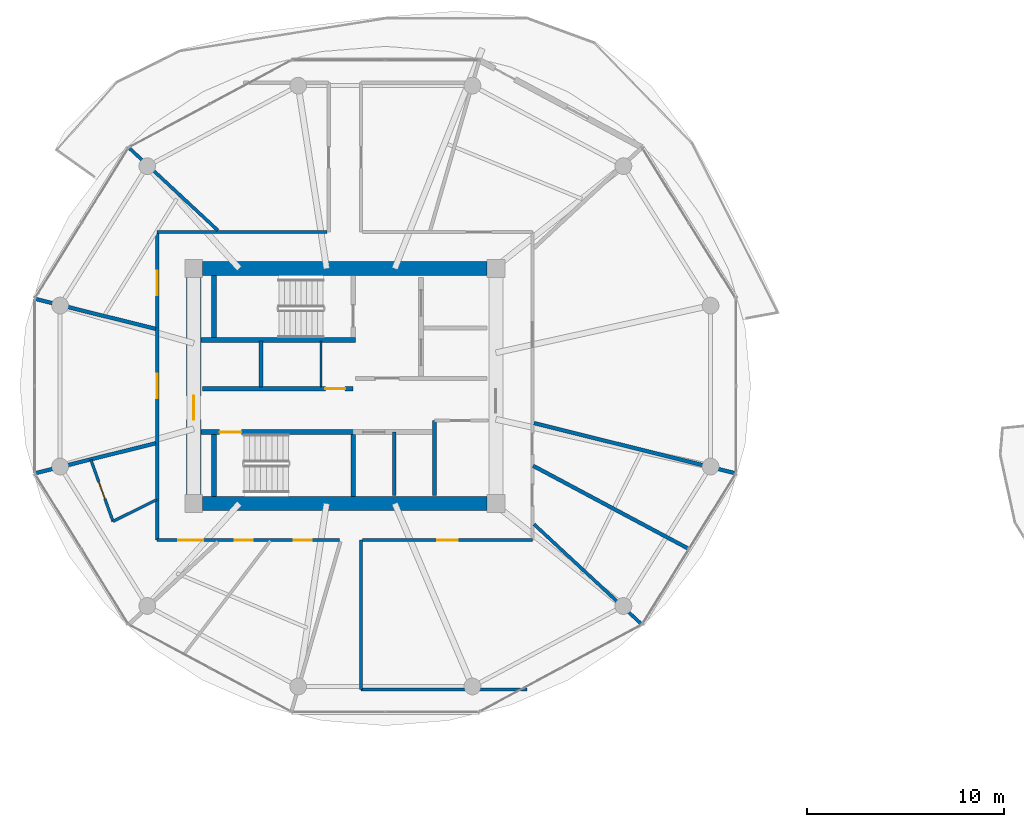
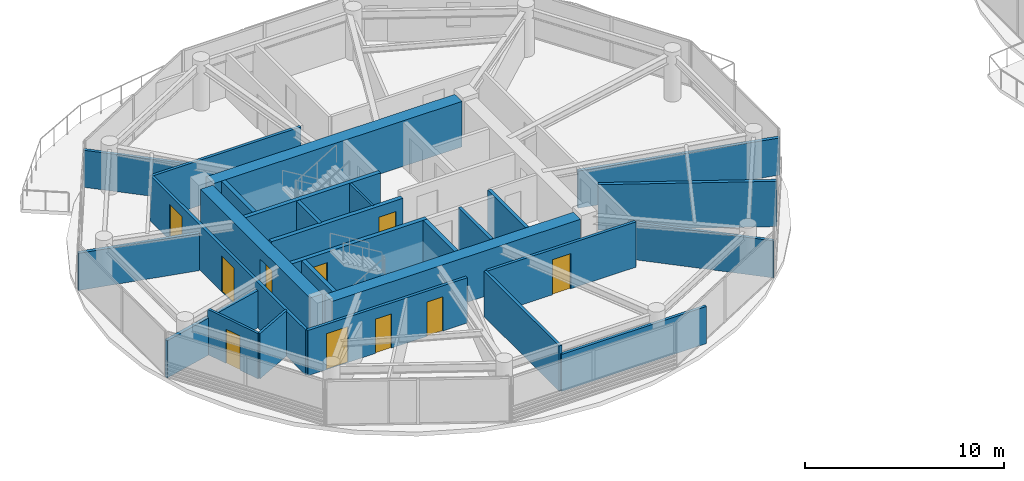
# One storey, part 15 of 23: 27 walls, 10 doors, 10 openings.
"""IFC4 building model written with IfcOpenShell, lengths in metres."""

from ifc_helpers import new_model, si_unit, direction, frame, frame_2d, origin, place, context, subcontext, project, spatial, rectangle, extrude, source, transform, mapped, material, layer, layer_set, type_object, type_shapes, element, fill, save


model = new_model("IFC4")

# Units and contexts
model_context = context("Model", 3, precision=1e-05, world=origin(), true_north=direction((0.0, 1.0)))
body_context = subcontext(model_context, "Body", "Model", "MODEL_VIEW")
ifc_project = project(units=[si_unit("LENGTHUNIT", "METRE"), si_unit("AREAUNIT", "SQUARE_METRE"), si_unit("VOLUMEUNIT", "CUBIC_METRE"), si_unit("PLANEANGLEUNIT", "RADIAN"), si_unit("MASSUNIT", "GRAM", prefix="KILO")], contexts=[model_context])

# Site, building, storey
site_placement = place(None, origin())
site = spatial("IfcSite", under=ifc_project, at=site_placement, CompositionType="ELEMENT")
building_placement = place(site_placement, origin())
building = spatial("IfcBuilding", under=site, at=building_placement, Name="Norrkilde Senior Care Towers", CompositionType="ELEMENT")
storey_placement = place(building_placement, frame((0.0, 0.0, 81.0)))
storey = spatial("IfcBuildingStorey", under=building, at=storey_placement, Name="L24", CompositionType="ELEMENT", Elevation=81.0)

# Walls
ifc_material_1 = material(Name="Concrete C60/75", Category="concrete")
ifc_layer_1 = layer(ifc_material_1, 0.719970703125)
ifc_layer_set_1 = layer_set([ifc_layer_1], Name="Concrete C60/75")
wall_type_1 = type_object("IfcWallType", Name="Core Shear Wall Z2 720", PredefinedType="SHEAR", material=ifc_layer_set_1)
shared_shape_1 = source(origin(), body_context, "Body", "SweptSolid", [
    extrude(rectangle(XDim=14.39990234375, YDim=0.719970703125, at=frame_2d((7.199951171875, 0.0))), origin(), (0.0, 0.0, 1.0), 2.7900390625),
])
for number, where, z_axis, x_axis, name in (
    (1, (-35.199951171875, 5.949951171875, 0.0), (0.0, 0.0, 1.0), (1.0, 0.0, 0.0), "L24 Core W North Shear Wall"),
    (2, (-20.800048828125, -5.949951171875, 0.0), (0.0, 0.0, 1.0), (-1.0, 0.0, 0.0), "L24 Core W South Shear Wall"),
):
    element("IfcWall", number, at=place(storey_placement, frame(where, z_axis=z_axis, x_axis=x_axis)), inside=storey, type_object=wall_type_1, Name=name, PredefinedType="SHEAR", context=body_context, shape_type="MappedRepresentation", body=[
        mapped(shared_shape_1, transform((0.0, 0.0, 0.0), x_axis=(1.0, 0.0, 0.0), y_axis=(0.0, 1.0, 0.0), z_axis=(0.0, 0.0, 1.0), scale=1.0)),
    ])

# Wall, opening, door
shared_shape_2 = source(origin(), body_context, "Body", "SweptSolid", [
    extrude(rectangle(XDim=11.0, YDim=0.719970703125, at=frame_2d((5.5, 0.0))), origin(), (0.0, 0.0, 1.0), 2.7900390625),
])
type_shapes(wall_type_1, [shared_shape_1, shared_shape_2])
wall_1_placement = place(storey_placement, frame((-35.64990234375, -5.5, 0.0), z_axis=(0.0, 0.0, 1.0), x_axis=(0.0, 1.0, 0.0)))
wall_1 = element("IfcWall", 3, at=wall_1_placement, inside=storey, type_object=wall_type_1, Name="L24 Core W West Shear Wall", PredefinedType="SHEAR", context=body_context, shape_type="MappedRepresentation", body=[
    mapped(shared_shape_2, transform((0.0, 0.0, 0.0), x_axis=(1.0, 0.0, 0.0), y_axis=(0.0, 1.0, 0.0), z_axis=(0.0, 0.0, 1.0), scale=1.0)),
])
opening_1_placement = place(wall_1_placement, frame((3.800048828125, 0.0, 0.0)))
opening_1 = element("IfcOpeningElement", 4, at=opening_1_placement, cuts=wall_1, Name="Opening D-04", PredefinedType="OPENING", context=body_context, shape_type="SweptSolid", body=[
    extrude(rectangle(XDim=1.199951171875, YDim=2.14990234375, at=frame_2d((0.60009765625, 1.074951171875))), frame((0.0, 0.369873046875, 0.0), z_axis=(0.0, -1.0, 0.0), x_axis=(1.0, 0.0, 0.0)), (0.0, 0.0, 1.0), 0.739990234375),
])
ifc_material_2 = material(Name="Galvanised Painted Steel", Category="steel")
door_type_1 = type_object("IfcDoorType", Name="Firefighting Lobby Fire Door 1200x2150", OperationType="NOTDEFINED", PredefinedType="DOOR", material=ifc_material_2)
shared_shape_3 = source(origin(), body_context, "Body", "SweptSolid", [
    extrude(rectangle(XDim=1.199951171875, YDim=2.14990234375, at=frame_2d((0.60009765625, 1.074951171875))), frame((0.0, 0.02490234375, 0.0), z_axis=(0.0, -1.0, 0.0), x_axis=(1.0, 0.0, 0.0)), (0.0, 0.0, 1.0), 0.050048828125),
])
type_shapes(door_type_1, [shared_shape_3])
door_1_placement = place(opening_1_placement, frame((1.199951171875, 0.0, 0.0), z_axis=(0.0, 0.0, 1.0), x_axis=(-1.0, 0.0, 0.0)))
door_1 = element("IfcDoor", 5, at=door_1_placement, inside=storey, type_object=door_type_1, Name="L24 Core W West Portal Door", OperationType="SINGLE_SWING_LEFT", OverallHeight=2.14990234375, OverallWidth=1.199951171875, PredefinedType="DOOR", context=body_context, shape_type="MappedRepresentation", body=[
    mapped(shared_shape_3, transform((0.0, 0.0, 0.0), x_axis=(1.0, 0.0, 0.0), y_axis=(0.0, 1.0, 0.0), z_axis=(0.0, 0.0, 1.0), scale=1.0)),
])
fill(opening_1, door_1)

ifc_material_3 = material(Name="Concrete C45/55", Category="concrete")
ifc_layer_2 = layer(ifc_material_3, 0.239990234375)
ifc_layer_set_2 = layer_set([ifc_layer_2], Name="Concrete C45/55")
wall_type_2 = type_object("IfcWallType", Name="Lift and Plant Rated Enclosure Partition 240", PredefinedType="PARTITIONING", material=ifc_layer_set_2)
shared_shape_4 = source(origin(), body_context, "Body", "SweptSolid", [
    extrude(rectangle(XDim=7.619873046875, YDim=0.239990234375, at=frame_2d((3.81005859375, 0.0))), origin(), (0.0, 0.0, 1.0), 2.77490234375),
])
type_shapes(wall_type_2, [shared_shape_4])
wall_2_placement = place(storey_placement, frame((-35.199951171875, -0.1298828125, 0.0), z_axis=(0.0, 0.0, 1.0), x_axis=(1.0, 0.0, 0.0)))
wall_2 = element("IfcWall", 6, at=wall_2_placement, inside=storey, type_object=wall_type_2, Name="WL-INT-L24-W-PKAS", PredefinedType="PARTITIONING", context=body_context, shape_type="MappedRepresentation", body=[
    mapped(shared_shape_4, transform((0.0, 0.0, 0.0), x_axis=(1.0, 0.0, 0.0), y_axis=(0.0, 1.0, 0.0), z_axis=(0.0, 0.0, 1.0), scale=1.0)),
])
opening_2_placement = place(wall_2_placement, frame((6.219970703125, 0.0, 0.0)))
opening_2 = element("IfcOpeningElement", 7, at=opening_2_placement, cuts=wall_2, Name="Opening D-10", PredefinedType="OPENING", context=body_context, shape_type="SweptSolid", body=[
    extrude(rectangle(XDim=1.0, YDim=2.10009765625, at=frame_2d((0.5, 1.050048828125))), frame((0.0, 0.1298828125, 0.0), z_axis=(0.0, -1.0, 0.0), x_axis=(1.0, 0.0, 0.0)), (0.0, 0.0, 1.0), 0.260009765625),
])
door_type_2 = type_object("IfcDoorType", Name="Plant and Riser Rated Door 1000x2100", OperationType="NOTDEFINED", PredefinedType="DOOR", material=ifc_material_2)
shared_shape_5 = source(origin(), body_context, "Body", "SweptSolid", [
    extrude(rectangle(XDim=1.0, YDim=2.10009765625, at=frame_2d((0.5, 1.050048828125))), frame((0.0, 0.02490234375, 0.0), z_axis=(0.0, -1.0, 0.0), x_axis=(1.0, 0.0, 0.0)), (0.0, 0.0, 1.0), 0.050048828125),
])
type_shapes(door_type_2, [shared_shape_5])
door_2_placement = place(opening_2_placement, frame((1.0, 0.0, 0.0), z_axis=(0.0, 0.0, 1.0), x_axis=(-1.0, 0.0, 0.0)))
door_2 = element("IfcDoor", 8, at=door_2_placement, inside=storey, type_object=door_type_2, Name="L24 Electrical Riser W Door", OperationType="SINGLE_SWING_LEFT", OverallHeight=2.10009765625, OverallWidth=1.0, PredefinedType="DOOR", context=body_context, shape_type="MappedRepresentation", body=[
    mapped(shared_shape_5, transform((0.0, 0.0, 0.0), x_axis=(1.0, 0.0, 0.0), y_axis=(0.0, 1.0, 0.0), z_axis=(0.0, 0.0, 1.0), scale=1.0)),
])
fill(opening_2, door_2)

# Walls
ifc_material_4 = material(Name="Gypsum Acoustic Board")
ifc_layer_3 = layer(ifc_material_4, 0.114990234375)
ifc_layer_set_3 = layer_set([ifc_layer_3], Name="Gypsum Acoustic Board")
wall_type_3 = type_object("IfcWallType", Name="Internal Room Partition 115", PredefinedType="PARTITIONING", material=ifc_layer_set_3)
shared_shape_6 = source(origin(), body_context, "Body", "SweptSolid", [
    extrude(rectangle(XDim=2.330078125, YDim=0.114990234375, at=frame_2d((1.1650390625, 0.0))), origin(), (0.0, 0.0, 1.0), 2.77490234375),
])
type_shapes(wall_type_3, [shared_shape_6])
wall_3_placement = place(storey_placement, frame((-29.2099609375, -0.050048828125, 0.0), z_axis=(0.0, 0.0, 1.0), x_axis=(0.0, 1.0, 0.0)))
element("IfcWall", 9, at=wall_3_placement, inside=storey, type_object=wall_type_3, Name="WL-INT-L24-W-RISW", PredefinedType="PARTITIONING", context=body_context, shape_type="MappedRepresentation", body=[
    mapped(shared_shape_6, transform((0.0, 0.0, 0.0), x_axis=(1.0, 0.0, 0.0), y_axis=(0.0, 1.0, 0.0), z_axis=(0.0, 0.0, 1.0), scale=1.0)),
])
ifc_layer_4 = layer(ifc_material_3, 0.199951171875)
ifc_layer_set_4 = layer_set([ifc_layer_4], Name="Concrete C45/55")
wall_type_4 = type_object("IfcWallType", Name="Shaft Division and Plant Partition 200", PredefinedType="PARTITIONING", material=ifc_layer_set_4)
shared_shape_7 = source(origin(), body_context, "Body", "SweptSolid", [
    extrude(rectangle(XDim=2.330078125, YDim=0.199951171875, at=frame_2d((1.1650390625, 0.0))), origin(), (0.0, 0.0, 1.0), 2.77490234375),
])
wall_4_placement = place(storey_placement, frame((-32.25, -0.050048828125, 0.0), z_axis=(0.0, 0.0, 1.0), x_axis=(0.0, 1.0, 0.0)))
element("IfcWall", 10, at=wall_4_placement, inside=storey, type_object=wall_type_4, Name="WL-INT-L24-W-PL12", PredefinedType="PARTITIONING", context=body_context, shape_type="MappedRepresentation", body=[
    mapped(shared_shape_7, transform((0.0, 0.0, 0.0), x_axis=(1.0, 0.0, 0.0), y_axis=(0.0, 1.0, 0.0), z_axis=(0.0, 0.0, 1.0), scale=1.0)),
])
shared_shape_8 = source(origin(), body_context, "Body", "SweptSolid", [
    extrude(rectangle(XDim=3.800048828125, YDim=0.199951171875, at=frame_2d((1.89990234375, 0.0))), origin(), (0.0, 0.0, 1.0), 2.77490234375),
])
type_shapes(wall_type_4, [shared_shape_7, shared_shape_8])
wall_5_placement = place(storey_placement, frame((-23.449951171875, -5.550048828125, 0.0), z_axis=(0.0, 0.0, 1.0), x_axis=(0.0, 1.0, 0.0)))
element("IfcWall", 11, at=wall_5_placement, inside=storey, type_object=wall_type_4, Name="WL-INT-L24-W-PKBE", PredefinedType="PARTITIONING", context=body_context, shape_type="MappedRepresentation", body=[
    mapped(shared_shape_8, transform((0.0, 0.0, 0.0), x_axis=(1.0, 0.0, 0.0), y_axis=(0.0, 1.0, 0.0), z_axis=(0.0, 0.0, 1.0), scale=1.0)),
])
ifc_layer_5 = layer(ifc_material_3, 0.179931640625)
ifc_layer_set_5 = layer_set([ifc_layer_5], Name="Concrete C45/55")
wall_type_5 = type_object("IfcWallType", Name="Hoistway Division Rated Partition 180", PredefinedType="PARTITIONING", material=ifc_layer_set_5)
shared_shape_9 = source(origin(), body_context, "Body", "SweptSolid", [
    extrude(rectangle(XDim=3.219970703125, YDim=0.179931640625, at=frame_2d((1.60986328125, 0.0))), origin(), (0.0, 0.0, 1.0), 2.77490234375),
])
type_shapes(wall_type_5, [shared_shape_9])
wall_6_placement = place(storey_placement, frame((-25.5, -5.550048828125, 0.0), z_axis=(0.0, 0.0, 1.0), x_axis=(0.0, 1.0, 0.0)))
element("IfcWall", 12, at=wall_6_placement, inside=storey, type_object=wall_type_5, Name="WL-INT-L24-W-PL34", PredefinedType="PARTITIONING", context=body_context, shape_type="MappedRepresentation", body=[
    mapped(shared_shape_9, transform((0.0, 0.0, 0.0), x_axis=(1.0, 0.0, 0.0), y_axis=(0.0, 1.0, 0.0), z_axis=(0.0, 0.0, 1.0), scale=1.0)),
])

# Wall, openings, doors
ifc_layer_6 = layer(ifc_material_4, 0.1650390625)
ifc_layer_set_6 = layer_set([ifc_layer_6], Name="Gypsum Acoustic Board")
wall_type_6 = type_object("IfcWallType", Name="Corridor Rated Partition 165", PredefinedType="PARTITIONING", material=ifc_layer_set_6)
shared_shape_10 = source(origin(), body_context, "Body", "SweptSolid", [
    extrude(rectangle(XDim=15.60009765625, YDim=0.1650390625, at=frame_2d((7.800048828125, 0.0))), origin(), (0.0, 0.0, 1.0), 2.77490234375),
])
wall_7_placement = place(storey_placement, frame((-37.5, -7.800048828125, 0.0), z_axis=(0.0, 0.0, 1.0), x_axis=(0.0, 1.0, 0.0)))
wall_7 = element("IfcWall", 13, at=wall_7_placement, inside=storey, type_object=wall_type_6, Name="WL-INT-L24-W-CRW-W-0", PredefinedType="PARTITIONING", context=body_context, shape_type="MappedRepresentation", body=[
    mapped(shared_shape_10, transform((0.0, 0.0, 0.0), x_axis=(1.0, 0.0, 0.0), y_axis=(0.0, 1.0, 0.0), z_axis=(0.0, 0.0, 1.0), scale=1.0)),
])
opening_3_placement = place(wall_7_placement, frame((12.3994140625, 0.0, 0.0)))
opening_3 = element("IfcOpeningElement", 14, at=opening_3_placement, cuts=wall_7, Name="Opening D-05", PredefinedType="OPENING", context=body_context, shape_type="SweptSolid", body=[
    extrude(rectangle(XDim=1.25, YDim=2.199951171875, at=frame_2d((0.625, 1.10009765625))), frame((0.0, 0.092529296875, 0.0), z_axis=(0.0, -1.0, 0.0), x_axis=(1.0, 0.0, 0.0)), (0.0, 0.0, 1.0), 0.18505859375),
])
opening_4_placement = place(wall_7_placement, frame((7.175048828125, 0.0, 0.0)))
opening_4 = element("IfcOpeningElement", 15, at=opening_4_placement, cuts=wall_7, Name="Opening D-05", PredefinedType="OPENING", context=body_context, shape_type="SweptSolid", body=[
    extrude(rectangle(XDim=1.25, YDim=2.199951171875, at=frame_2d((0.625, 1.10009765625))), frame((0.0, 0.092529296875, 0.0), z_axis=(0.0, -1.0, 0.0), x_axis=(1.0, 0.0, 0.0)), (0.0, 0.0, 1.0), 0.18505859375),
])
ifc_material_5 = material(Name="Nordic Ash Timber", Category="wood")
door_type_3 = type_object("IfcDoorType", Name="Care Bedroom Bariatric Door 1250x2200", OperationType="NOTDEFINED", PredefinedType="DOOR", material=ifc_material_5)
shared_shape_11 = source(origin(), body_context, "Body", "SweptSolid", [
    extrude(rectangle(XDim=1.25, YDim=2.199951171875, at=frame_2d((0.625, 1.10009765625))), frame((0.0, 0.02490234375, 0.0), z_axis=(0.0, -1.0, 0.0), x_axis=(1.0, 0.0, 0.0)), (0.0, 0.0, 1.0), 0.050048828125),
])
type_shapes(door_type_3, [shared_shape_11])
door_3_placement = place(opening_3_placement, frame((1.25, 0.0, 0.0), z_axis=(0.0, 0.0, 1.0), x_axis=(-1.0, 0.0, 0.0)))
door_3 = element("IfcDoor", 16, at=door_3_placement, inside=storey, type_object=door_type_3, Name="L24 Sky-Garden Observatory Dining Salon L24 Door", OperationType="SINGLE_SWING_LEFT", OverallHeight=2.199951171875, OverallWidth=1.25, PredefinedType="DOOR", context=body_context, shape_type="MappedRepresentation", body=[
    mapped(shared_shape_11, transform((0.0, 0.0, 0.0), x_axis=(1.0, 0.0, 0.0), y_axis=(0.0, 1.0, 0.0), z_axis=(0.0, 0.0, 1.0), scale=1.0)),
])
fill(opening_3, door_3)
door_4_placement = place(opening_4_placement, frame((1.25, 0.0, 0.0), z_axis=(0.0, 0.0, 1.0), x_axis=(-1.0, 0.0, 0.0)))
door_4 = element("IfcDoor", 17, at=door_4_placement, inside=storey, type_object=door_type_3, Name="L24 Senior Wellness Library Lounge Door", OperationType="SINGLE_SWING_RIGHT", OverallHeight=2.199951171875, OverallWidth=1.25, PredefinedType="DOOR", context=body_context, shape_type="MappedRepresentation", body=[
    mapped(shared_shape_11, transform((0.0, 0.0, 0.0), x_axis=(1.0, 0.0, 0.0), y_axis=(0.0, 1.0, 0.0), z_axis=(0.0, 0.0, 1.0), scale=1.0)),
])
fill(opening_4, door_4)

# Wall
ifc_layer_7 = layer(ifc_material_3, 0.239990234375)
ifc_layer_set_7 = layer_set([ifc_layer_7], Name="Concrete C45/55")
wall_type_7 = type_object("IfcWallType", Name="Shaft and Stair Enclosure Wall 240", PredefinedType="PARTITIONING", material=ifc_layer_set_7)
shared_shape_12 = source(origin(), body_context, "Body", "SweptSolid", [
    extrude(rectangle(XDim=7.830078125, YDim=0.239990234375, at=frame_2d((3.9150390625, 0.0))), origin(), (0.0, 0.0, 1.0), 2.7900390625),
])
wall_8_placement = place(storey_placement, frame((-35.2900390625, 2.330078125, 0.0), z_axis=(0.0, 0.0, 1.0), x_axis=(1.0, 0.0, 0.0)))
element("IfcWall", 18, at=wall_8_placement, inside=storey, type_object=wall_type_7, Name="WL-INT-L24-W-ST1S", PredefinedType="PARTITIONING", context=body_context, shape_type="MappedRepresentation", body=[
    mapped(shared_shape_12, transform((0.0, 0.0, 0.0), x_axis=(1.0, 0.0, 0.0), y_axis=(0.0, 1.0, 0.0), z_axis=(0.0, 0.0, 1.0), scale=1.0)),
])

# Wall, opening, door
wall_9_placement = place(storey_placement, frame((-35.2900390625, -2.330078125, 0.0), z_axis=(0.0, 0.0, 1.0), x_axis=(1.0, 0.0, 0.0)))
wall_9 = element("IfcWall", 19, at=wall_9_placement, inside=storey, type_object=wall_type_7, Name="WL-INT-L24-W-ST2N", PredefinedType="PARTITIONING", context=body_context, shape_type="MappedRepresentation", body=[
    mapped(shared_shape_12, transform((0.0, 0.0, 0.0), x_axis=(1.0, 0.0, 0.0), y_axis=(0.0, 1.0, 0.0), z_axis=(0.0, 0.0, 1.0), scale=1.0)),
])
opening_5_placement = place(wall_9_placement, frame((0.949951171875, 0.0, 0.0)))
opening_5 = element("IfcOpeningElement", 20, at=opening_5_placement, cuts=wall_9, Name="Opening D-03", PredefinedType="OPENING", context=body_context, shape_type="SweptSolid", body=[
    extrude(rectangle(XDim=1.10009765625, YDim=2.14990234375, at=frame_2d((0.550048828125, 1.074951171875))), frame((0.0, 0.1298828125, 0.0), z_axis=(0.0, -1.0, 0.0), x_axis=(1.0, 0.0, 0.0)), (0.0, 0.0, 1.0), 0.260009765625),
])
door_type_4 = type_object("IfcDoorType", Name="Stairwell Protected Fire Door 1100x2150", OperationType="NOTDEFINED", PredefinedType="DOOR", material=ifc_material_2)
shared_shape_13 = source(origin(), body_context, "Body", "SweptSolid", [
    extrude(rectangle(XDim=1.10009765625, YDim=2.14990234375, at=frame_2d((0.550048828125, 1.074951171875))), frame((0.0, 0.02490234375, 0.0), z_axis=(0.0, -1.0, 0.0), x_axis=(1.0, 0.0, 0.0)), (0.0, 0.0, 1.0), 0.050048828125),
])
type_shapes(door_type_4, [shared_shape_13])
door_5_placement = place(opening_5_placement, frame((1.10009765625, 0.0, 0.0), z_axis=(0.0, 0.0, 1.0), x_axis=(-1.0, 0.0, 0.0)))
door_5 = element("IfcDoor", 21, at=door_5_placement, inside=storey, type_object=door_type_4, Name="L24 Stair W2 Fire Door", OperationType="SINGLE_SWING_RIGHT", OverallHeight=2.14990234375, OverallWidth=1.10009765625, PredefinedType="DOOR", context=body_context, shape_type="MappedRepresentation", body=[
    mapped(shared_shape_13, transform((0.0, 0.0, 0.0), x_axis=(1.0, 0.0, 0.0), y_axis=(0.0, 1.0, 0.0), z_axis=(0.0, 0.0, 1.0), scale=1.0)),
])
fill(opening_5, door_5)

# Walls
shared_shape_14 = source(origin(), body_context, "Body", "SweptSolid", [
    extrude(rectangle(XDim=3.14013671875, YDim=0.239990234375, at=frame_2d((1.570068359375, 0.0))), origin(), (0.0, 0.0, 1.0), 2.7900390625),
])
type_shapes(wall_type_7, [shared_shape_12, shared_shape_14])
for number, where, z_axis, x_axis, name in (
    (22, (-34.6201171875, 2.449951171875, 0.0), (0.0, 0.0, 1.0), (0.0, 1.0, 0.0), "WL-INT-L24-W-ST1W"),
    (23, (-34.6201171875, -5.590087890625, 0.0), (0.0, 0.0, 1.0), (0.0, 1.0, 0.0), "WL-INT-L24-W-ST2W"),
    (24, (-27.580078125, -5.590087890625, 0.0), (0.0, 0.0, 1.0), (0.0, 1.0, 0.0), "WL-INT-L24-W-ST2E"),
):
    element("IfcWall", number, at=place(storey_placement, frame(where, z_axis=z_axis, x_axis=x_axis)), inside=storey, type_object=wall_type_7, Name=name, PredefinedType="PARTITIONING", context=body_context, shape_type="MappedRepresentation", body=[
        mapped(shared_shape_14, transform((0.0, 0.0, 0.0), x_axis=(1.0, 0.0, 0.0), y_axis=(0.0, 1.0, 0.0), z_axis=(0.0, 0.0, 1.0), scale=1.0)),
    ])
shared_shape_15 = source(origin(), body_context, "Body", "SweptSolid", [
    extrude(rectangle(XDim=8.60009765625, YDim=0.1650390625, at=frame_2d((4.300048828125, 0.0))), origin(), (0.0, 0.0, 1.0), 2.77490234375),
])
wall_10_placement = place(storey_placement, frame((-37.5, 7.800048828125, 0.0), z_axis=(0.0, 0.0, 1.0), x_axis=(1.0, 0.0, 0.0)))
element("IfcWall", 25, at=wall_10_placement, inside=storey, type_object=wall_type_6, Name="WL-INT-L24-W-CRW-N-0", PredefinedType="PARTITIONING", context=body_context, shape_type="MappedRepresentation", body=[
    mapped(shared_shape_15, transform((0.0, 0.0, 0.0), x_axis=(1.0, 0.0, 0.0), y_axis=(0.0, 1.0, 0.0), z_axis=(0.0, 0.0, 1.0), scale=1.0)),
])

# Wall, opening, door
wall_11_placement = place(storey_placement, frame((-18.5, -7.800048828125, 0.0), z_axis=(0.0, 0.0, 1.0), x_axis=(-1.0, 0.0, 0.0)))
wall_11 = element("IfcWall", 26, at=wall_11_placement, inside=storey, type_object=wall_type_6, Name="WL-INT-L24-W-CRW-S-0", PredefinedType="PARTITIONING", context=body_context, shape_type="MappedRepresentation", body=[
    mapped(shared_shape_15, transform((0.0, 0.0, 0.0), x_axis=(1.0, 0.0, 0.0), y_axis=(0.0, 1.0, 0.0), z_axis=(0.0, 0.0, 1.0), scale=1.0)),
])
opening_6_placement = place(wall_11_placement, frame((3.77490234375, 0.0, 0.0)))
opening_6 = element("IfcOpeningElement", 27, at=opening_6_placement, cuts=wall_11, Name="Opening D-06", PredefinedType="OPENING", context=body_context, shape_type="SweptSolid", body=[
    extrude(rectangle(XDim=1.050048828125, YDim=2.14990234375, at=frame_2d((0.52490234375, 1.074951171875))), frame((0.0, 0.092529296875, 0.0), z_axis=(0.0, -1.0, 0.0), x_axis=(1.0, 0.0, 0.0)), (0.0, 0.0, 1.0), 0.18505859375),
])
door_type_5 = type_object("IfcDoorType", Name="Apartment Entrance Fire Door 1050x2150", OperationType="NOTDEFINED", PredefinedType="DOOR", material=ifc_material_5)
shared_shape_16 = source(origin(), body_context, "Body", "SweptSolid", [
    extrude(rectangle(XDim=1.050048828125, YDim=2.14990234375, at=frame_2d((0.52490234375, 1.074951171875))), frame((0.0, 0.02490234375, 0.0), z_axis=(0.0, -1.0, 0.0), x_axis=(1.0, 0.0, 0.0)), (0.0, 0.0, 1.0), 0.050048828125),
])
type_shapes(door_type_5, [shared_shape_16])
door_6_placement = place(opening_6_placement, frame((1.050048828125, 0.0, 0.0), z_axis=(0.0, 0.0, 1.0), x_axis=(-1.0, 0.0, 0.0)))
door_6 = element("IfcDoor", 28, at=door_6_placement, inside=storey, type_object=door_type_5, Name="L24 Reading Lounge SEL Door", OperationType="SINGLE_SWING_RIGHT", OverallHeight=2.14990234375, OverallWidth=1.050048828125, PredefinedType="DOOR", context=body_context, shape_type="MappedRepresentation", body=[
    mapped(shared_shape_16, transform((0.0, 0.0, 0.0), x_axis=(1.0, 0.0, 0.0), y_axis=(0.0, 1.0, 0.0), z_axis=(0.0, 0.0, 1.0), scale=1.0)),
])
fill(opening_6, door_6)

# Wall, openings, doors
shared_shape_17 = source(origin(), body_context, "Body", "SweptSolid", [
    extrude(rectangle(XDim=9.234130859375, YDim=0.1650390625, at=frame_2d((4.6171875, 0.0))), origin(), (0.0, 0.0, 1.0), 2.77490234375),
])
wall_12_placement = place(storey_placement, frame((-28.265869140625, -7.800048828125, 0.0), z_axis=(0.0, 0.0, 1.0), x_axis=(-1.0, 0.0, 0.0)))
wall_12 = element("IfcWall", 29, at=wall_12_placement, inside=storey, type_object=wall_type_6, Name="WL-INT-L24-W-CRW-S-1", PredefinedType="PARTITIONING", context=body_context, shape_type="MappedRepresentation", body=[
    mapped(shared_shape_17, transform((0.0, 0.0, 0.0), x_axis=(1.0, 0.0, 0.0), y_axis=(0.0, 1.0, 0.0), z_axis=(0.0, 0.0, 1.0), scale=1.0)),
])
opening_7_placement = place(wall_12_placement, frame((6.908935546875, 0.0, 0.0)))
opening_7 = element("IfcOpeningElement", 30, at=opening_7_placement, cuts=wall_12, Name="Opening D-05", PredefinedType="OPENING", context=body_context, shape_type="SweptSolid", body=[
    extrude(rectangle(XDim=1.25, YDim=2.199951171875, at=frame_2d((0.625, 1.10009765625))), frame((0.0, 0.092529296875, 0.0), z_axis=(0.0, -1.0, 0.0), x_axis=(1.0, 0.0, 0.0)), (0.0, 0.0, 1.0), 0.18505859375),
])
opening_8_placement = place(wall_12_placement, frame((4.39208984375, 0.0, 0.0)))
opening_8 = element("IfcOpeningElement", 31, at=opening_8_placement, cuts=wall_12, Name="Opening D-08", PredefinedType="OPENING", context=body_context, shape_type="SweptSolid", body=[
    extrude(rectangle(XDim=0.919921875, YDim=2.10009765625, at=frame_2d((0.4599609375, 1.050048828125))), frame((0.0, 0.092529296875, 0.0), z_axis=(0.0, -1.0, 0.0), x_axis=(1.0, 0.0, 0.0)), (0.0, 0.0, 1.0), 0.18505859375),
])
opening_9_placement = place(wall_12_placement, frame((1.407958984375, 0.0, 0.0)))
opening_9 = element("IfcOpeningElement", 32, at=opening_9_placement, cuts=wall_12, Name="Opening D-08", PredefinedType="OPENING", context=body_context, shape_type="SweptSolid", body=[
    extrude(rectangle(XDim=0.919921875, YDim=2.10009765625, at=frame_2d((0.4599609375, 1.050048828125))), frame((0.0, 0.092529296875, 0.0), z_axis=(0.0, -1.0, 0.0), x_axis=(1.0, 0.0, 0.0)), (0.0, 0.0, 1.0), 0.18505859375),
])
door_7_placement = place(opening_7_placement, frame((1.25, 0.0, 0.0), z_axis=(0.0, 0.0, 1.0), x_axis=(-1.0, 0.0, 0.0)))
door_7 = element("IfcDoor", 33, at=door_7_placement, inside=storey, type_object=door_type_3, Name="L24 Care Suite 2406 Entrance Door", OperationType="SINGLE_SWING_LEFT", OverallHeight=2.199951171875, OverallWidth=1.25, PredefinedType="DOOR", context=body_context, shape_type="MappedRepresentation", body=[
    mapped(shared_shape_11, transform((0.0, 0.0, 0.0), x_axis=(1.0, 0.0, 0.0), y_axis=(0.0, 1.0, 0.0), z_axis=(0.0, 0.0, 1.0), scale=1.0)),
])
fill(opening_7, door_7)
door_type_6 = type_object("IfcDoorType", Name="Accessible Wet Room Door 920x2100", OperationType="NOTDEFINED", PredefinedType="DOOR", material=ifc_material_5)
shared_shape_18 = source(origin(), body_context, "Body", "SweptSolid", [
    extrude(rectangle(XDim=0.919921875, YDim=2.10009765625, at=frame_2d((0.4599609375, 1.050048828125))), frame((0.0, 0.02490234375, 0.0), z_axis=(0.0, -1.0, 0.0), x_axis=(1.0, 0.0, 0.0)), (0.0, 0.0, 1.0), 0.050048828125),
])
type_shapes(door_type_6, [shared_shape_18])
door_8_placement = place(opening_8_placement, frame((0.919921875, 0.0, 0.0), z_axis=(0.0, 0.0, 1.0), x_axis=(-1.0, 0.0, 0.0)))
door_8 = element("IfcDoor", 34, at=door_8_placement, inside=storey, type_object=door_type_6, Name="L24 Accessible Restroom Door", OperationType="SINGLE_SWING_RIGHT", OverallHeight=2.10009765625, OverallWidth=0.919921875, PredefinedType="DOOR", context=body_context, shape_type="MappedRepresentation", body=[
    mapped(shared_shape_18, transform((0.0, 0.0, 0.0), x_axis=(1.0, 0.0, 0.0), y_axis=(0.0, 1.0, 0.0), z_axis=(0.0, 0.0, 1.0), scale=1.0)),
])
fill(opening_8, door_8)
door_9_placement = place(opening_9_placement, frame((0.919921875, 0.0, 0.0), z_axis=(0.0, 0.0, 1.0), x_axis=(-1.0, 0.0, 0.0)))
door_9 = element("IfcDoor", 35, at=door_9_placement, inside=storey, type_object=door_type_6, Name="L24 Public Restroom Door", OperationType="SINGLE_SWING_LEFT", OverallHeight=2.10009765625, OverallWidth=0.919921875, PredefinedType="DOOR", context=body_context, shape_type="MappedRepresentation", body=[
    mapped(shared_shape_18, transform((0.0, 0.0, 0.0), x_axis=(1.0, 0.0, 0.0), y_axis=(0.0, 1.0, 0.0), z_axis=(0.0, 0.0, 1.0), scale=1.0)),
])
fill(opening_9, door_9)

# Walls
shared_shape_19 = source(origin(), body_context, "Body", "SweptSolid", [
    extrude(rectangle(XDim=6.186767578125, YDim=0.1650390625, at=frame_2d((3.09326171875, 0.0))), origin(), (0.0, 0.0, 1.0), 2.27490234375),
])
wall_13_placement = place(storey_placement, frame((-34.428955078125, 7.8798828125, 0.0), z_axis=(0.0, 0.0, 1.0), x_axis=(-0.732501077882, 0.680765870841, 0.0)))
element("IfcWall", 36, at=wall_13_placement, inside=storey, type_object=wall_type_6, Name="WL-INT-L24-W-DEM-04-0", PredefinedType="PARTITIONING", context=body_context, shape_type="MappedRepresentation", body=[
    mapped(shared_shape_19, transform((0.0, 0.0, 0.0), x_axis=(1.0, 0.0, 0.0), y_axis=(0.0, 1.0, 0.0), z_axis=(0.0, 0.0, 1.0), scale=1.0)),
])
shared_shape_20 = source(origin(), body_context, "Body", "SweptSolid", [
    extrude(rectangle(XDim=7.482177734375, YDim=0.1650390625, at=frame_2d((3.7412109375, 0.0))), origin(), (0.0, 0.0, 1.0), 2.27490234375),
])
wall_14_placement = place(storey_placement, frame((-18.419921875, -6.998046875, 0.0), z_axis=(0.0, 0.0, 1.0), x_axis=(0.732508698043, -0.680757671489, 0.0)))
element("IfcWall", 37, at=wall_14_placement, inside=storey, type_object=wall_type_6, Name="WL-INT-L24-W-DEM-10-0", PredefinedType="PARTITIONING", context=body_context, shape_type="MappedRepresentation", body=[
    mapped(shared_shape_20, transform((0.0, 0.0, 0.0), x_axis=(1.0, 0.0, 0.0), y_axis=(0.0, 1.0, 0.0), z_axis=(0.0, 0.0, 1.0), scale=1.0)),
])
shared_shape_21 = source(origin(), body_context, "Body", "SweptSolid", [
    extrude(rectangle(XDim=7.56005859375, YDim=0.1650390625, at=frame_2d((3.780029296875, 0.0))), origin(), (0.0, 0.0, 1.0), 2.77490234375),
])
wall_15_placement = place(storey_placement, frame((-27.179931640625, -15.360107421875, 0.0), z_axis=(0.0, 0.0, 1.0), x_axis=(0.0, 1.0, 0.0)))
element("IfcWall", 38, at=wall_15_placement, inside=storey, type_object=wall_type_6, Name="WL-INT-L24-W-PKW-SEL", PredefinedType="PARTITIONING", context=body_context, shape_type="MappedRepresentation", body=[
    mapped(shared_shape_21, transform((0.0, 0.0, 0.0), x_axis=(1.0, 0.0, 0.0), y_axis=(0.0, 1.0, 0.0), z_axis=(0.0, 0.0, 1.0), scale=1.0)),
])
shared_shape_22 = source(origin(), body_context, "Body", "SweptSolid", [
    extrude(rectangle(XDim=8.406982421875, YDim=0.1650390625, at=frame_2d((4.20361328125, 0.0))), origin(), (0.0, 0.0, 1.0), 2.27490234375),
])
type_shapes(wall_type_6, [shared_shape_10, shared_shape_15, shared_shape_17, shared_shape_19, shared_shape_20, shared_shape_21, shared_shape_22])
wall_16_placement = place(storey_placement, frame((-27.179931640625, -15.360107421875, 0.0), z_axis=(0.0, 0.0, 1.0), x_axis=(1.0, 0.0, 0.0)))
element("IfcWall", 39, at=wall_16_placement, inside=storey, type_object=wall_type_6, Name="WL-INT-L24-W-PKH-SEL-0", PredefinedType="PARTITIONING", context=body_context, shape_type="MappedRepresentation", body=[
    mapped(shared_shape_22, transform((0.0, 0.0, 0.0), x_axis=(1.0, 0.0, 0.0), y_axis=(0.0, 1.0, 0.0), z_axis=(0.0, 0.0, 1.0), scale=1.0)),
])
ifc_layer_8 = layer(ifc_material_4, 0.18994140625)
ifc_layer_set_8 = layer_set([ifc_layer_8], Name="Gypsum Acoustic Board")
wall_type_8 = type_object("IfcWallType", Name="Unit Demising Acoustic Wall 190", PredefinedType="PARTITIONING", material=ifc_layer_set_8)
shared_shape_23 = source(origin(), body_context, "Body", "SweptSolid", [
    extrude(rectangle(XDim=6.33056640625, YDim=0.18994140625, at=frame_2d((3.165283203125, 0.0))), origin(), (0.0, 0.0, 1.0), 2.27490234375),
])
for number, where, z_axis, x_axis, name in (
    (40, (-37.580078125, 2.89599609375, 0.0), (0.0, 0.0, 1.0), (-0.97036440661, 0.241646267062, 0.0), "WL-INT-L24-W-DEM-05-0"),
    (41, (-37.580078125, -2.89599609375, 0.0), (0.0, 0.0, 1.0), (-0.97036440661, -0.241646267062, 0.0), "WL-INT-L24-W-DEM-06-0"),
):
    element("IfcWall", number, at=place(storey_placement, frame(where, z_axis=z_axis, x_axis=x_axis)), inside=storey, type_object=wall_type_8, Name=name, PredefinedType="PARTITIONING", context=body_context, shape_type="MappedRepresentation", body=[
        mapped(shared_shape_23, transform((0.0, 0.0, 0.0), x_axis=(1.0, 0.0, 0.0), y_axis=(0.0, 1.0, 0.0), z_axis=(0.0, 0.0, 1.0), scale=1.0)),
    ])
ifc_layer_9 = layer(ifc_material_4, 0.139892578125)
ifc_layer_set_9 = layer_set([ifc_layer_9], Name="Gypsum Acoustic Board")
wall_type_9 = type_object("IfcWallType", Name="En-suite Wet Room Wall 140", PredefinedType="PARTITIONING", material=ifc_layer_set_9)
shared_shape_24 = source(origin(), body_context, "Body", "SweptSolid", [
    extrude(rectangle(XDim=2.46923828125, YDim=0.139892578125, at=frame_2d((1.234619140625, 0.0))), origin(), (0.0, 0.0, 1.0), 2.77490234375),
])
wall_17_placement = place(storey_placement, frame((-37.530029296875, -5.753662109375, 0.0), z_axis=(0.0, 0.0, 1.0), x_axis=(-0.895512172456, -0.445037019789, 0.0)))
element("IfcWall", 42, at=wall_17_placement, inside=storey, type_object=wall_type_9, Name="WL-INT-L24-W-ES-06", PredefinedType="PARTITIONING", context=body_context, shape_type="MappedRepresentation", body=[
    mapped(shared_shape_24, transform((0.0, 0.0, 0.0), x_axis=(1.0, 0.0, 0.0), y_axis=(0.0, 1.0, 0.0), z_axis=(0.0, 0.0, 1.0), scale=1.0)),
])

# Wall, opening, door
shared_shape_25 = source(origin(), body_context, "Body", "SweptSolid", [
    extrude(rectangle(XDim=3.31396484375, YDim=0.139892578125, at=frame_2d((1.656982421875, 0.0))), origin(), (0.0, 0.0, 1.0), 2.77490234375),
])
type_shapes(wall_type_9, [shared_shape_24, shared_shape_25])
wall_18_placement = place(storey_placement, frame((-39.7412109375, -6.8525390625, 0.0), z_axis=(0.0, 0.0, 1.0), x_axis=(-0.338067217654, 0.941121966776, 0.0)))
wall_18 = element("IfcWall", 43, at=wall_18_placement, inside=storey, type_object=wall_type_9, Name="WL-INT-L24-W-EF-06", PredefinedType="PARTITIONING", context=body_context, shape_type="MappedRepresentation", body=[
    mapped(shared_shape_25, transform((0.0, 0.0, 0.0), x_axis=(1.0, 0.0, 0.0), y_axis=(0.0, 1.0, 0.0), z_axis=(0.0, 0.0, 1.0), scale=1.0)),
])
opening_10_placement = place(wall_18_placement, frame((1.197021484375, 0.0, 0.0)))
opening_10 = element("IfcOpeningElement", 44, at=opening_10_placement, cuts=wall_18, Name="Opening D-08", PredefinedType="OPENING", context=body_context, shape_type="SweptSolid", body=[
    extrude(rectangle(XDim=0.919921875, YDim=2.10009765625, at=frame_2d((0.4599609375, 1.050048828125))), frame((0.0, 0.079833984375, 0.0), z_axis=(0.0, -1.0, 0.0), x_axis=(1.0, 0.0, 0.0)), (0.0, 0.0, 1.0), 0.159912109375),
])
door_10_placement = place(opening_10_placement, origin())
door_10 = element("IfcDoor", 45, at=door_10_placement, inside=storey, type_object=door_type_6, Name="L24 Care Suite 2406 Bathroom Door", OperationType="SINGLE_SWING_RIGHT", OverallHeight=2.10009765625, OverallWidth=0.919921875, PredefinedType="DOOR", context=body_context, shape_type="MappedRepresentation", body=[
    mapped(shared_shape_18, transform((0.0, 0.0, 0.0), x_axis=(1.0, 0.0, 0.0), y_axis=(0.0, 1.0, 0.0), z_axis=(0.0, 0.0, 1.0), scale=1.0)),
])
fill(opening_10, door_10)

# Walls
shared_shape_26 = source(origin(), body_context, "Body", "SweptSolid", [
    extrude(rectangle(XDim=10.5556640625, YDim=0.18994140625, at=frame_2d((5.27783203125, 0.0))), origin(), (0.0, 0.0, 1.0), 2.27490234375),
])
wall_19_placement = place(storey_placement, frame((-18.419921875, -1.875, 0.0), z_axis=(0.0, 0.0, 1.0), x_axis=(0.970363857851, -0.241648470667, 0.0)))
element("IfcWall", 46, at=wall_19_placement, inside=storey, type_object=wall_type_8, Name="WL-INT-L24-W-DEM-11-0", PredefinedType="PARTITIONING", context=body_context, shape_type="MappedRepresentation", body=[
    mapped(shared_shape_26, transform((0.0, 0.0, 0.0), x_axis=(1.0, 0.0, 0.0), y_axis=(0.0, 1.0, 0.0), z_axis=(0.0, 0.0, 1.0), scale=1.0)),
])
shared_shape_27 = source(origin(), body_context, "Body", "SweptSolid", [
    extrude(rectangle(XDim=8.96826171875, YDim=0.18994140625, at=frame_2d((4.484130859375, 0.0))), origin(), (0.0, 0.0, 1.0), 2.77490234375),
])
type_shapes(wall_type_8, [shared_shape_23, shared_shape_26, shared_shape_27])
wall_20_placement = place(storey_placement, frame((-18.469970703125, -4.03564453125, 0.0), z_axis=(0.0, 0.0, 1.0), x_axis=(0.882202936563, -0.47086938605, 0.0)))
element("IfcWall", 47, at=wall_20_placement, inside=storey, type_object=wall_type_8, Name="WL-INT-L24-W-MID-10", PredefinedType="PARTITIONING", context=body_context, shape_type="MappedRepresentation", body=[
    mapped(shared_shape_27, transform((0.0, 0.0, 0.0), x_axis=(1.0, 0.0, 0.0), y_axis=(0.0, 1.0, 0.0), z_axis=(0.0, 0.0, 1.0), scale=1.0)),
])

save(model, "model.ifc")
